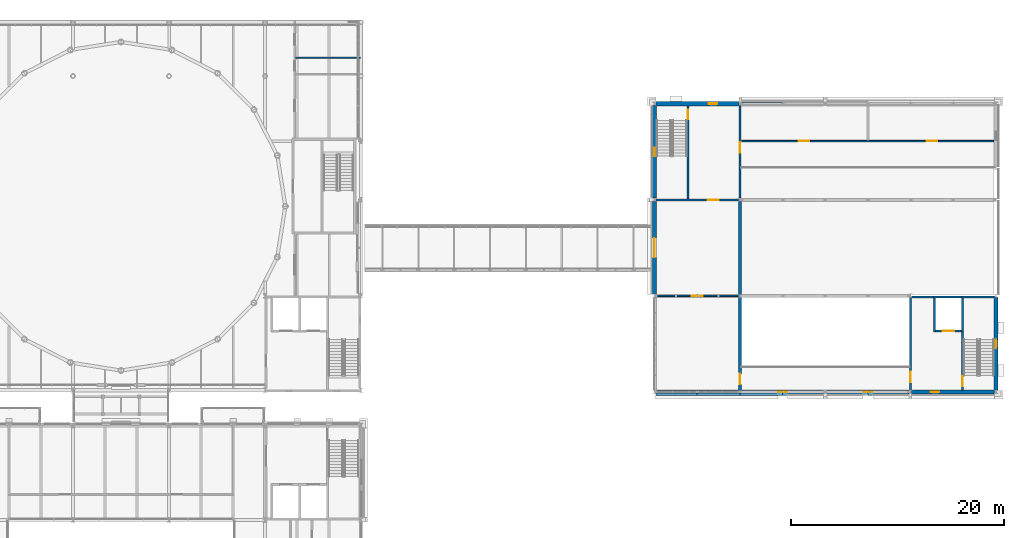
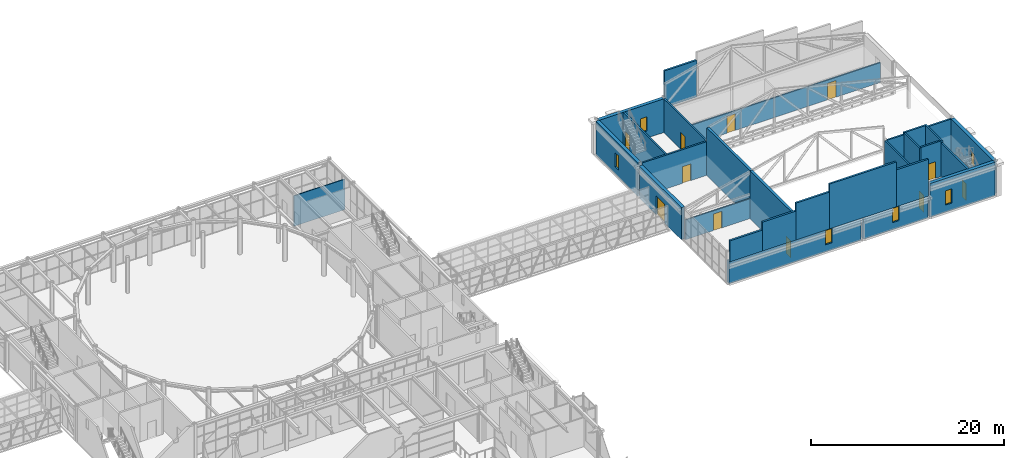
# One storey, part 99 of 149: 29 walls, 11 doors, 6 windows, 17 openings.
"""IFC4 building model written with IfcOpenShell, lengths in metres."""

from ifc_helpers import new_model, si_unit, direction, frame, frame_2d, origin, place, context, subcontext, project, spatial, rectangle, extrude, material, layer, layer_set, type_object, element, fill, save


model = new_model("IFC4")

# Units and contexts
model_context = context("Model", 3, precision=1e-05, world=origin(), true_north=direction((0.0, 1.0)))
body_context = subcontext(model_context, "Body", "Model", "MODEL_VIEW")
ifc_project = project(units=[si_unit("LENGTHUNIT", "METRE"), si_unit("AREAUNIT", "SQUARE_METRE"), si_unit("VOLUMEUNIT", "CUBIC_METRE"), si_unit("PLANEANGLEUNIT", "RADIAN"), si_unit("MASSUNIT", "GRAM", prefix="KILO")], contexts=[model_context])

# Site, building, storey
site_placement = place(None, origin())
site = spatial("IfcSite", under=ifc_project, at=site_placement, CompositionType="ELEMENT")
building_placement = place(site_placement, origin())
building = spatial("IfcBuilding", under=site, at=building_placement, Name="Kallimachos Central Library", CompositionType="ELEMENT")
storey_placement = place(building_placement, frame((0.0, 0.0, 9.89990234375)))
storey = spatial("IfcBuildingStorey", under=building, at=storey_placement, Name="L02", CompositionType="ELEMENT", Elevation=9.89990234375)

# Walls
ifc_material_1 = material(Name="Glazed ceramic tile")
ifc_layer_1 = layer(ifc_material_1, 0.22509765625)
ifc_layer_set_1 = layer_set([ifc_layer_1], Name="Ceramic gable cladding 225")
wall_type_1 = type_object("IfcWallType", Name="Ceramic gable cladding 225", PredefinedType="SOLIDWALL", material=ifc_layer_set_1)
wall_1_placement = place(storey_placement, frame((138.14990234375, 86.78759765625, 2.85009765625), z_axis=(0.0, 0.0, 1.0), x_axis=(1.0, 0.0, 0.0)))
element("IfcWall", 1, at=wall_1_placement, inside=storey, type_object=wall_type_1, Name="Gable cladding", PredefinedType="SOLIDWALL", context=body_context, shape_type="SweptSolid", body=[
    extrude(rectangle(XDim=3.85009765625, YDim=0.22509765625, at=frame_2d((1.925048828125, 0.0))), origin(), (0.0, 0.0, 1.0), 2.64990234375),
])
wall_2_placement = place(storey_placement, frame((142.0, 86.78759765625, 2.85009765625), z_axis=(0.0, 0.0, 1.0), x_axis=(1.0, 0.0, 0.0)))
element("IfcWall", 2, at=wall_2_placement, inside=storey, type_object=wall_type_1, Name="Gable cladding", PredefinedType="SOLIDWALL", context=body_context, shape_type="SweptSolid", body=[
    extrude(rectangle(XDim=4.0, YDim=0.22509765625, at=frame_2d((2.0, 0.0))), origin(), (0.0, 0.0, 1.0), 3.64990234375),
])
wall_3_placement = place(storey_placement, frame((146.0, 86.78759765625, 2.85009765625), z_axis=(0.0, 0.0, 1.0), x_axis=(1.0, 0.0, 0.0)))
element("IfcWall", 3, at=wall_3_placement, inside=storey, type_object=wall_type_1, Name="Gable cladding", PredefinedType="SOLIDWALL", context=body_context, shape_type="SweptSolid", body=[
    extrude(rectangle(XDim=4.0, YDim=0.22509765625, at=frame_2d((2.0, 0.0))), origin(), (0.0, 0.0, 1.0), 4.64990234375),
])
wall_4_placement = place(storey_placement, frame((150.0, 86.78759765625, 2.85009765625), z_axis=(0.0, 0.0, 1.0), x_axis=(1.0, 0.0, 0.0)))
element("IfcWall", 4, at=wall_4_placement, inside=storey, type_object=wall_type_1, Name="Gable cladding", PredefinedType="SOLIDWALL", context=body_context, shape_type="SweptSolid", body=[
    extrude(rectangle(XDim=8.0, YDim=0.22509765625, at=frame_2d((4.0, 0.0))), origin(), (0.0, 0.0, 1.0), 5.64990234375),
])
for number, where, z_axis, x_axis, name in (
    (5, (158.0, 86.78759765625, 2.85009765625), (0.0, 0.0, 1.0), (1.0, 0.0, 0.0), "Gable cladding"),
    (6, (146.14990234375, 114.21240234375, 2.85009765625), (0.0, 0.0, 1.0), (1.0, 0.0, 0.0), "Gable cladding"),
):
    element("IfcWall", number, at=place(storey_placement, frame(where, z_axis=z_axis, x_axis=x_axis)), inside=storey, type_object=wall_type_1, Name=name, PredefinedType="SOLIDWALL", context=body_context, shape_type="SweptSolid", body=[
        extrude(rectangle(XDim=3.85009765625, YDim=0.22509765625, at=frame_2d((1.925048828125, 0.0))), origin(), (0.0, 0.0, 1.0), 4.64990234375),
    ])

# Wall, opening, door
ifc_material_2 = material(Name="Concrete C30/37", Category="concrete")
ifc_layer_2 = layer(ifc_material_2, 0.199951171875)
ifc_layer_set_2 = layer_set([ifc_layer_2], Name="Core wall 200")
wall_type_2 = type_object("IfcWallType", Name="Core wall 200", PredefinedType="SOLIDWALL", material=ifc_layer_set_2)
wall_5_placement = place(storey_placement, frame((146.0, 105.14990234375, 0.0), z_axis=(0.0, 0.0, 1.0), x_axis=(0.0, 1.0, 0.0)))
wall_5 = element("IfcWall", 7, at=wall_5_placement, inside=storey, type_object=wall_type_2, Name="V3-WAL-L02-023", PredefinedType="SOLIDWALL", context=body_context, shape_type="SweptSolid", body=[
    extrude(rectangle(XDim=8.7001953125, YDim=0.199951171875, at=frame_2d((4.35009765625, 0.0))), origin(), (0.0, 0.0, 1.0), 4.25),
])
opening_1_placement = place(wall_5_placement, frame((4.25, 0.0, 0.0)))
opening_1 = element("IfcOpeningElement", 8, at=opening_1_placement, cuts=wall_5, Name="Opening D336", PredefinedType="OPENING", context=body_context, shape_type="SweptSolid", body=[
    extrude(rectangle(XDim=1.0, YDim=2.10009765625, at=frame_2d((0.5, 1.050048828125))), frame((0.0, 0.10986328125, 0.0), z_axis=(0.0, -1.0, 0.0), x_axis=(1.0, 0.0, 0.0)), (0.0, 0.0, 1.0), 0.219970703125),
])
ifc_material_3 = material(Name="Oak timber", Category="wood")
door_type_1 = type_object("IfcDoorType", Name="Single door 1000 x 2100", OperationType="NOTDEFINED", PredefinedType="DOOR", material=ifc_material_3)
door_1_placement = place(opening_1_placement, origin())
door_1 = element("IfcDoor", 9, at=door_1_placement, inside=storey, type_object=door_type_1, Name="Deck corridor door L02", OperationType="SINGLE_SWING_RIGHT", OverallHeight=2.10009765625, OverallWidth=1.0, PredefinedType="DOOR", context=body_context, shape_type="SweptSolid", body=[
    extrude(rectangle(XDim=1.0, YDim=2.10009765625, at=frame_2d((0.5, 1.050048828125))), frame((0.0, 0.02490234375, 0.0), z_axis=(0.0, -1.0, 0.0), x_axis=(1.0, 0.0, 0.0)), (0.0, 0.0, 1.0), 0.050048828125),
])
fill(opening_1, door_1)

wall_6_placement = place(storey_placement, frame((162.0, 87.14990234375, 0.0), z_axis=(0.0, 0.0, 1.0), x_axis=(0.0, 1.0, 0.0)))
wall_6 = element("IfcWall", 10, at=wall_6_placement, inside=storey, type_object=wall_type_2, Name="V3-WAL-L02-024", PredefinedType="SOLIDWALL", context=body_context, shape_type="SweptSolid", body=[
    extrude(rectangle(XDim=8.7001953125, YDim=0.199951171875, at=frame_2d((4.35009765625, 0.0))), origin(), (0.0, 0.0, 1.0), 4.25),
])
opening_2_placement = place(wall_6_placement, frame((0.75, 0.0, 0.0)))
opening_2 = element("IfcOpeningElement", 11, at=opening_2_placement, cuts=wall_6, Name="Opening D329", PredefinedType="OPENING", context=body_context, shape_type="SweptSolid", body=[
    extrude(rectangle(XDim=1.0, YDim=2.10009765625, at=frame_2d((0.5, 1.050048828125))), frame((0.0, 0.10986328125, 0.0), z_axis=(0.0, -1.0, 0.0), x_axis=(1.0, 0.0, 0.0)), (0.0, 0.0, 1.0), 0.219970703125),
])
door_2_placement = place(opening_2_placement, frame((1.0, 0.0, 0.0), z_axis=(0.0, 0.0, 1.0), x_axis=(-1.0, 0.0, 0.0)))
door_2 = element("IfcDoor", 12, at=door_2_placement, inside=storey, type_object=door_type_1, Name="Stage side door L02", OperationType="SINGLE_SWING_LEFT", OverallHeight=2.10009765625, OverallWidth=1.0, PredefinedType="DOOR", context=body_context, shape_type="SweptSolid", body=[
    extrude(rectangle(XDim=1.0, YDim=2.10009765625, at=frame_2d((0.5, 1.050048828125))), frame((0.0, 0.02490234375, 0.0), z_axis=(0.0, -1.0, 0.0), x_axis=(1.0, 0.0, 0.0)), (0.0, 0.0, 1.0), 0.050048828125),
])
fill(opening_2, door_2)

wall_7_placement = place(storey_placement, frame((138.14990234375, 105.0, 0.0), z_axis=(0.0, 0.0, 1.0), x_axis=(1.0, 0.0, 0.0)))
wall_7 = element("IfcWall", 13, at=wall_7_placement, inside=storey, type_object=wall_type_2, Name="V3-WAL-L02-025", PredefinedType="SOLIDWALL", context=body_context, shape_type="SweptSolid", body=[
    extrude(rectangle(XDim=7.7001953125, YDim=0.199951171875, at=frame_2d((3.85009765625, 0.0))), origin(), (0.0, 0.0, 1.0), 4.25),
])
opening_3_placement = place(wall_7_placement, frame((4.85009765625, 0.0, 0.0)))
opening_3 = element("IfcOpeningElement", 14, at=opening_3_placement, cuts=wall_7, Name="Opening D331", PredefinedType="OPENING", context=body_context, shape_type="SweptSolid", body=[
    extrude(rectangle(XDim=1.0, YDim=2.10009765625, at=frame_2d((0.5, 1.050048828125))), frame((0.0, 0.10986328125, 0.0), z_axis=(0.0, -1.0, 0.0), x_axis=(1.0, 0.0, 0.0)), (0.0, 0.0, 1.0), 0.219970703125),
])
door_3_placement = place(opening_3_placement, origin())
door_3 = element("IfcDoor", 15, at=door_3_placement, inside=storey, type_object=door_type_1, Name="Stair lobby ST8 door L02", OperationType="SINGLE_SWING_RIGHT", OverallHeight=2.10009765625, OverallWidth=1.0, PredefinedType="DOOR", context=body_context, shape_type="SweptSolid", body=[
    extrude(rectangle(XDim=1.0, YDim=2.10009765625, at=frame_2d((0.5, 1.050048828125))), frame((0.0, 0.02490234375, 0.0), z_axis=(0.0, -1.0, 0.0), x_axis=(1.0, 0.0, 0.0)), (0.0, 0.0, 1.0), 0.050048828125),
])
fill(opening_3, door_3)

# Walls
wall_8_placement = place(storey_placement, frame((162.14990234375, 95.89990234375, 0.0), z_axis=(0.0, 0.0, 1.0), x_axis=(1.0, 0.0, 0.0)))
element("IfcWall", 16, at=wall_8_placement, inside=storey, type_object=wall_type_2, Name="V3-WAL-L02-026", PredefinedType="SOLIDWALL", context=body_context, shape_type="SweptSolid", body=[
    extrude(rectangle(XDim=2.0, YDim=0.199951171875, at=frame_2d((1.0, 0.0))), origin(), (0.0, 0.0, 1.0), 4.25),
])
wall_9_placement = place(storey_placement, frame((166.75, 95.89990234375, 0.0), z_axis=(0.0, 0.0, 1.0), x_axis=(1.0, 0.0, 0.0)))
element("IfcWall", 17, at=wall_9_placement, inside=storey, type_object=wall_type_2, Name="V3-WAL-L02-027", PredefinedType="SOLIDWALL", context=body_context, shape_type="SweptSolid", body=[
    extrude(rectangle(XDim=3.10009765625, YDim=0.199951171875, at=frame_2d((1.550048828125, 0.0))), origin(), (0.0, 0.0, 1.0), 4.25),
])

# Wall, opening, door
wall_10_placement = place(storey_placement, frame((166.85009765625, 87.14990234375, 0.0), z_axis=(0.0, 0.0, 1.0), x_axis=(0.0, 1.0, 0.0)))
wall_10 = element("IfcWall", 18, at=wall_10_placement, inside=storey, type_object=wall_type_2, Name="V3-WAL-L02-028", PredefinedType="SOLIDWALL", context=body_context, shape_type="SweptSolid", body=[
    extrude(rectangle(XDim=5.4501953125, YDim=0.199951171875, at=frame_2d((2.72509765625, 0.0))), origin(), (0.0, 0.0, 1.0), 4.25),
])
opening_4_placement = place(wall_10_placement, frame((0.39990234375, 0.0, 0.0)))
opening_4 = element("IfcOpeningElement", 19, at=opening_4_placement, cuts=wall_10, Name="Opening D330", PredefinedType="OPENING", context=body_context, shape_type="SweptSolid", body=[
    extrude(rectangle(XDim=0.89990234375, YDim=2.10009765625, at=frame_2d((0.449951171875, 1.050048828125))), frame((0.0, 0.10986328125, 0.0), z_axis=(0.0, -1.0, 0.0), x_axis=(1.0, 0.0, 0.0)), (0.0, 0.0, 1.0), 0.219970703125),
])
ifc_material_4 = material(Name="Steel", Category="steel")
door_type_2 = type_object("IfcDoorType", Name="Single door 900 x 2100", OperationType="NOTDEFINED", PredefinedType="DOOR", material=ifc_material_4)
door_4_placement = place(opening_4_placement, frame((0.89990234375, 0.0, 0.0), z_axis=(0.0, 0.0, 1.0), x_axis=(-1.0, 0.0, 0.0)))
door_4 = element("IfcDoor", 20, at=door_4_placement, inside=storey, type_object=door_type_2, Name="Stair ST7 door L02", OperationType="SINGLE_SWING_LEFT", OverallHeight=2.10009765625, OverallWidth=0.89990234375, PredefinedType="DOOR", context=body_context, shape_type="SweptSolid", body=[
    extrude(rectangle(XDim=0.89990234375, YDim=2.10009765625, at=frame_2d((0.449951171875, 1.050048828125))), frame((0.0, 0.02490234375, 0.0), z_axis=(0.0, -1.0, 0.0), x_axis=(1.0, 0.0, 0.0)), (0.0, 0.0, 1.0), 0.050048828125),
])
fill(opening_4, door_4)

wall_11_placement = place(storey_placement, frame((141.14990234375, 105.10009765625, 0.0), z_axis=(0.0, 0.0, 1.0), x_axis=(0.0, 1.0, 0.0)))
wall_11 = element("IfcWall", 21, at=wall_11_placement, inside=storey, type_object=wall_type_2, Name="V3-WAL-L02-029", PredefinedType="SOLIDWALL", context=body_context, shape_type="SweptSolid", body=[
    extrude(rectangle(XDim=8.699951171875, YDim=0.199951171875, at=frame_2d((4.35009765625, 0.0))), origin(), (0.0, 0.0, 1.0), 4.25),
])
opening_5_placement = place(wall_11_placement, frame((7.449951171875, 0.0, 0.0)))
opening_5 = element("IfcOpeningElement", 22, at=opening_5_placement, cuts=wall_11, Name="Opening D332", PredefinedType="OPENING", context=body_context, shape_type="SweptSolid", body=[
    extrude(rectangle(XDim=0.89990234375, YDim=2.10009765625, at=frame_2d((0.449951171875, 1.050048828125))), frame((0.0, 0.10986328125, 0.0), z_axis=(0.0, -1.0, 0.0), x_axis=(1.0, 0.0, 0.0)), (0.0, 0.0, 1.0), 0.219970703125),
])
door_5_placement = place(opening_5_placement, origin())
door_5 = element("IfcDoor", 23, at=door_5_placement, inside=storey, type_object=door_type_2, Name="Stair ST8 door L02", OperationType="SINGLE_SWING_LEFT", OverallHeight=2.10009765625, OverallWidth=0.89990234375, PredefinedType="DOOR", context=body_context, shape_type="SweptSolid", body=[
    extrude(rectangle(XDim=0.89990234375, YDim=2.10009765625, at=frame_2d((0.449951171875, 1.050048828125))), frame((0.0, 0.02490234375, 0.0), z_axis=(0.0, -1.0, 0.0), x_axis=(1.0, 0.0, 0.0)), (0.0, 0.0, 1.0), 0.050048828125),
])
fill(opening_5, door_5)

ifc_material_5 = material(Name="Concrete C30/37", Category="concrete")
ifc_layer_3 = layer(ifc_material_5, 0.300048828125)
ifc_layer_set_3 = layer_set([ifc_layer_3], Name="Hall wall 300, load-bearing")
wall_type_3 = type_object("IfcWallType", Name="Hall wall 300, load-bearing", PredefinedType="SOLIDWALL", material=ifc_layer_set_3)
wall_12_placement = place(storey_placement, frame((146.0, 87.0, 0.0), z_axis=(0.0, 0.0, 1.0), x_axis=(0.0, 1.0, 0.0)))
wall_12 = element("IfcWall", 24, at=wall_12_placement, inside=storey, type_object=wall_type_3, Name="V3-WAL-L02-021", PredefinedType="SOLIDWALL", context=body_context, shape_type="SweptSolid", body=[
    extrude(rectangle(XDim=8.89990234375, YDim=0.300048828125, at=frame_2d((4.449951171875, 0.0))), origin(), (0.0, 0.0, 1.0), 6.050048828125),
])
opening_6_placement = place(wall_12_placement, frame((0.699951171875, 0.0, 0.0)))
opening_6 = element("IfcOpeningElement", 25, at=opening_6_placement, cuts=wall_12, Name="Opening D339", PredefinedType="OPENING", context=body_context, shape_type="SweptSolid", body=[
    extrude(rectangle(XDim=1.0, YDim=2.10009765625, at=frame_2d((0.5, 1.050048828125))), frame((0.0, 0.159912109375, 0.0), z_axis=(0.0, -1.0, 0.0), x_axis=(1.0, 0.0, 0.0)), (0.0, 0.0, 1.0), 0.320068359375),
])
door_6_placement = place(opening_6_placement, frame((1.0, 0.0, 0.0), z_axis=(0.0, 0.0, 1.0), x_axis=(-1.0, 0.0, 0.0)))
door_6 = element("IfcDoor", 26, at=door_6_placement, inside=storey, type_object=door_type_1, Name="Backstage door L02", OperationType="SINGLE_SWING_LEFT", OverallHeight=2.10009765625, OverallWidth=1.0, PredefinedType="DOOR", context=body_context, shape_type="SweptSolid", body=[
    extrude(rectangle(XDim=1.0, YDim=2.10009765625, at=frame_2d((0.5, 1.050048828125))), frame((0.0, 0.02490234375, 0.0), z_axis=(0.0, -1.0, 0.0), x_axis=(1.0, 0.0, 0.0)), (0.0, 0.0, 1.0), 0.050048828125),
])
fill(opening_6, door_6)

# Walls
wall_13_placement = place(storey_placement, frame((146.0, 95.89990234375, 0.0), z_axis=(0.0, 0.0, 1.0), x_axis=(0.0, 1.0, 0.0)))
element("IfcWall", 27, at=wall_13_placement, inside=storey, type_object=wall_type_3, Name="V3-WAL-L02-022", PredefinedType="SOLIDWALL", context=body_context, shape_type="SweptSolid", body=[
    extrude(rectangle(XDim=8.9501953125, YDim=0.300048828125, at=frame_2d((4.47509765625, 0.0))), origin(), (0.0, 0.0, 1.0), 6.050048828125),
])
ifc_material_6 = material(Name="Concrete C30/37", Category="concrete")
ifc_layer_4 = layer(ifc_material_6, 0.199951171875)
ifc_layer_set_4 = layer_set([ifc_layer_4], Name="Lift shaft wall 200")
wall_type_4 = type_object("IfcWallType", Name="Lift shaft wall 200", PredefinedType="SOLIDWALL", material=ifc_layer_set_4)
wall_14_placement = place(storey_placement, frame((164.14990234375, 95.89990234375, 0.0), z_axis=(0.0, 0.0, 1.0), x_axis=(1.0, 0.0, 0.0)))
element("IfcWall", 28, at=wall_14_placement, inside=storey, type_object=wall_type_4, Name="V3-WAL-L02-030", PredefinedType="SOLIDWALL", context=body_context, shape_type="SweptSolid", body=[
    extrude(rectangle(XDim=2.60009765625, YDim=0.199951171875, at=frame_2d((1.300048828125, 0.0))), origin(), (0.0, 0.0, 1.0), 4.5),
])

# Wall, opening, door
wall_15_placement = place(storey_placement, frame((164.35009765625, 92.699951171875, 0.0), z_axis=(0.0, 0.0, 1.0), x_axis=(1.0, 0.0, 0.0)))
wall_15 = element("IfcWall", 29, at=wall_15_placement, inside=storey, type_object=wall_type_4, Name="V3-WAL-L02-031", PredefinedType="SOLIDWALL", context=body_context, shape_type="SweptSolid", body=[
    extrude(rectangle(XDim=2.39990234375, YDim=0.199951171875, at=frame_2d((1.199951171875, 0.0))), origin(), (0.0, 0.0, 1.0), 4.5),
])
opening_7_placement = place(wall_15_placement, frame((0.64990234375, 0.0, 0.0)))
opening_7 = element("IfcOpeningElement", 30, at=opening_7_placement, cuts=wall_15, Name="Opening LD1100", PredefinedType="OPENING", context=body_context, shape_type="SweptSolid", body=[
    extrude(rectangle(XDim=1.10009765625, YDim=2.10009765625, at=frame_2d((0.550048828125, 1.050048828125))), frame((0.0, 0.10986328125, 0.0), z_axis=(0.0, -1.0, 0.0), x_axis=(1.0, 0.0, 0.0)), (0.0, 0.0, 1.0), 0.219970703125),
])
ifc_material_7 = material(Name="Stainless steel", Category="steel")
door_type_3 = type_object("IfcDoorType", Name="Lift landing door 1100 x 2100", OperationType="SLIDING_TO_LEFT", PredefinedType="DOOR", material=ifc_material_7)
door_7_placement = place(opening_7_placement, origin())
door_7 = element("IfcDoor", 31, at=door_7_placement, inside=storey, type_object=door_type_3, Name="LF6 landing door L02", OperationType="SLIDING_TO_LEFT", OverallHeight=2.10009765625, OverallWidth=1.10009765625, PredefinedType="DOOR", context=body_context, shape_type="SweptSolid", body=[
    extrude(rectangle(XDim=1.10009765625, YDim=2.10009765625, at=frame_2d((0.550048828125, 1.050048828125))), frame((0.0, 0.02490234375, 0.0), z_axis=(0.0, -1.0, 0.0), x_axis=(1.0, 0.0, 0.0)), (0.0, 0.0, 1.0), 0.050048828125),
])
fill(opening_7, door_7)

# Walls
for number, where, z_axis, x_axis, name in (
    (32, (164.25, 92.60009765625, 0.0), (0.0, 0.0, 1.0), (0.0, 1.0, 0.0), "V3-WAL-L02-032"),
    (33, (166.85009765625, 92.60009765625, 0.0), (0.0, 0.0, 1.0), (0.0, 1.0, 0.0), "V3-WAL-L02-033"),
):
    element("IfcWall", number, at=place(storey_placement, frame(where, z_axis=z_axis, x_axis=x_axis)), inside=storey, type_object=wall_type_4, Name=name, PredefinedType="SOLIDWALL", context=body_context, shape_type="SweptSolid", body=[
        extrude(rectangle(XDim=3.39990234375, YDim=0.199951171875, at=frame_2d((1.699951171875, 0.0))), origin(), (0.0, 0.0, 1.0), 4.5),
    ])
ifc_material_8 = material(Name="Plasterboard on steel studs", Category="steel")
ifc_layer_5 = layer(ifc_material_8, 0.10009765625)
ifc_layer_set_5 = layer_set([ifc_layer_5], Name="Partition 100")
wall_type_5 = type_object("IfcWallType", Name="Partition 100", PredefinedType="PARTITIONING", material=ifc_layer_set_5)
wall_16_placement = place(storey_placement, frame((104.330078125, 118.313720703125, 0.0), z_axis=(0.0, 0.0, 1.0), x_axis=(1.0, 0.0, 0.0)))
element("IfcWall", 34, at=wall_16_placement, inside=storey, type_object=wall_type_5, Name="Partition", PredefinedType="PARTITIONING", context=body_context, shape_type="SweptSolid", body=[
    extrude(rectangle(XDim=6.08984375, YDim=0.10009765625, at=frame_2d((3.044921875, 0.0))), origin(), (0.0, 0.0, 1.0), 3.85009765625),
])

# Wall, opening, door
ifc_material_9 = material(Name="Gypsum board on steel studs", Category="steel")
ifc_layer_6 = layer(ifc_material_9, 0.14990234375)
ifc_layer_set_6 = layer_set([ifc_layer_6], Name="Partition wall 150")
wall_type_6 = type_object("IfcWallType", Name="Partition wall 150", PredefinedType="PARTITIONING", material=ifc_layer_set_6)
wall_17_placement = place(storey_placement, frame((138.199951171875, 96.0, 0.0), z_axis=(0.0, 0.0, 1.0), x_axis=(1.0, 0.0, 0.0)))
wall_17 = element("IfcWall", 35, at=wall_17_placement, inside=storey, type_object=wall_type_6, Name="V3-WAL-L02-034", PredefinedType="PARTITIONING", context=body_context, shape_type="SweptSolid", body=[
    extrude(rectangle(XDim=7.650146484375, YDim=0.14990234375, at=frame_2d((3.8251953125, 0.0))), origin(), (0.0, 0.0, 1.0), 2.5),
])
opening_8_placement = place(wall_17_placement, frame((3.300048828125, 0.0, 0.0)))
opening_8 = element("IfcOpeningElement", 36, at=opening_8_placement, cuts=wall_17, Name="Opening D340", PredefinedType="OPENING", context=body_context, shape_type="SweptSolid", body=[
    extrude(rectangle(XDim=1.0, YDim=2.10009765625, at=frame_2d((0.5, 1.050048828125))), frame((0.0, 0.0849609375, 0.0), z_axis=(0.0, -1.0, 0.0), x_axis=(1.0, 0.0, 0.0)), (0.0, 0.0, 1.0), 0.169921875),
])
ifc_material_10 = material(Name="Oak timber", Category="wood")
door_type_4 = type_object("IfcDoorType", Name="Single door 1000 x 2100, EI2 30", OperationType="NOTDEFINED", PredefinedType="DOOR", material=ifc_material_10)
door_8_placement = place(opening_8_placement, frame((1.0, 0.0, 0.0), z_axis=(0.0, 0.0, 1.0), x_axis=(-1.0, 0.0, 0.0)))
door_8 = element("IfcDoor", 37, at=door_8_placement, inside=storey, type_object=door_type_4, Name="Foyer door L02", OperationType="SINGLE_SWING_LEFT", OverallHeight=2.10009765625, OverallWidth=1.0, PredefinedType="DOOR", context=body_context, shape_type="SweptSolid", body=[
    extrude(rectangle(XDim=1.0, YDim=2.10009765625, at=frame_2d((0.5, 1.050048828125))), frame((0.0, 0.02490234375, 0.0), z_axis=(0.0, -1.0, 0.0), x_axis=(1.0, 0.0, 0.0)), (0.0, 0.0, 1.0), 0.050048828125),
])
fill(opening_8, door_8)

# Wall, openings, doors
wall_18_placement = place(storey_placement, frame((146.14990234375, 110.5, 0.0), z_axis=(0.0, 0.0, 1.0), x_axis=(1.0, 0.0, 0.0)))
wall_18 = element("IfcWall", 38, at=wall_18_placement, inside=storey, type_object=wall_type_6, Name="V3-WAL-L02-035", PredefinedType="PARTITIONING", context=body_context, shape_type="SweptSolid", body=[
    extrude(rectangle(XDim=23.650146484375, YDim=0.14990234375, at=frame_2d((11.8251953125, 0.0))), origin(), (0.0, 0.0, 1.0), 2.5),
])
opening_9_placement = place(wall_18_placement, frame((5.35009765625, 0.0, 0.0)))
opening_9 = element("IfcOpeningElement", 39, at=opening_9_placement, cuts=wall_18, Name="Opening D341", PredefinedType="OPENING", context=body_context, shape_type="SweptSolid", body=[
    extrude(rectangle(XDim=1.0, YDim=2.10009765625, at=frame_2d((0.5, 1.050048828125))), frame((0.0, 0.0849609375, 0.0), z_axis=(0.0, -1.0, 0.0), x_axis=(1.0, 0.0, 0.0)), (0.0, 0.0, 1.0), 0.169921875),
])
opening_10_placement = place(wall_18_placement, frame((17.35009765625, 0.0, 0.0)))
opening_10 = element("IfcOpeningElement", 40, at=opening_10_placement, cuts=wall_18, Name="Opening D342", PredefinedType="OPENING", context=body_context, shape_type="SweptSolid", body=[
    extrude(rectangle(XDim=1.0, YDim=2.10009765625, at=frame_2d((0.5, 1.050048828125))), frame((0.0, 0.0849609375, 0.0), z_axis=(0.0, -1.0, 0.0), x_axis=(1.0, 0.0, 0.0)), (0.0, 0.0, 1.0), 0.169921875),
])
door_9_placement = place(opening_9_placement, origin())
door_9 = element("IfcDoor", 41, at=door_9_placement, inside=storey, type_object=door_type_4, Name="Plant door L02", OperationType="SINGLE_SWING_RIGHT", OverallHeight=2.10009765625, OverallWidth=1.0, PredefinedType="DOOR", context=body_context, shape_type="SweptSolid", body=[
    extrude(rectangle(XDim=1.0, YDim=2.10009765625, at=frame_2d((0.5, 1.050048828125))), frame((0.0, 0.02490234375, 0.0), z_axis=(0.0, -1.0, 0.0), x_axis=(1.0, 0.0, 0.0)), (0.0, 0.0, 1.0), 0.050048828125),
])
fill(opening_9, door_9)
door_10_placement = place(opening_10_placement, origin())
door_10 = element("IfcDoor", 42, at=door_10_placement, inside=storey, type_object=door_type_4, Name="Projection room door L02", OperationType="SINGLE_SWING_LEFT", OverallHeight=2.10009765625, OverallWidth=1.0, PredefinedType="DOOR", context=body_context, shape_type="SweptSolid", body=[
    extrude(rectangle(XDim=1.0, YDim=2.10009765625, at=frame_2d((0.5, 1.050048828125))), frame((0.0, 0.02490234375, 0.0), z_axis=(0.0, -1.0, 0.0), x_axis=(1.0, 0.0, 0.0)), (0.0, 0.0, 1.0), 0.050048828125),
])
fill(opening_10, door_10)

# Wall, opening, door
ifc_material_11 = material(Name="Concrete C30/37", Category="concrete")
ifc_layer_7 = layer(ifc_material_11, 0.39990234375)
ifc_layer_set_7 = layer_set([ifc_layer_7], Name="Stone-clad wall 400")
wall_type_7 = type_object("IfcWallType", Name="Stone-clad wall 400", PredefinedType="SOLIDWALL", material=ifc_layer_set_7)
wall_19_placement = place(storey_placement, frame((138.0, 96.14990234375, 0.0), z_axis=(0.0, 0.0, 1.0), x_axis=(0.0, 1.0, 0.0)))
wall_19 = element("IfcWall", 43, at=wall_19_placement, inside=storey, type_object=wall_type_7, Name="V3-WAL-L02-001", PredefinedType="SOLIDWALL", context=body_context, shape_type="SweptSolid", body=[
    extrude(rectangle(XDim=8.7001953125, YDim=0.39990234375, at=frame_2d((4.35009765625, 0.0))), origin(), (0.0, 0.0, 1.0), 4.050048828125),
])
opening_11_placement = place(wall_19_placement, frame((3.449951171875, 0.0, 0.0)))
opening_11 = element("IfcOpeningElement", 44, at=opening_11_placement, cuts=wall_19, Name="Opening DL7", PredefinedType="OPENING", context=body_context, shape_type="SweptSolid", body=[
    extrude(rectangle(XDim=1.800048828125, YDim=2.39990234375, at=frame_2d((0.89990234375, 1.199951171875))), frame((0.0, 0.2099609375, 0.0), z_axis=(0.0, -1.0, 0.0), x_axis=(1.0, 0.0, 0.0)), (0.0, 0.0, 1.0), 0.419921875),
])
ifc_material_12 = material(Name="Anodised aluminium and laminated glass", Category="aluminium")
door_type_5 = type_object("IfcDoorType", Name="Link door 1800 x 2400, EI2 90", OperationType="DOUBLE_DOOR_SINGLE_SWING", PredefinedType="DOOR", material=ifc_material_12)
door_11_placement = place(opening_11_placement, origin())
door_11 = element("IfcDoor", 45, at=door_11_placement, inside=storey, type_object=door_type_5, Name="Link door L02 bridge", OperationType="DOUBLE_DOOR_SINGLE_SWING", OverallHeight=2.39990234375, OverallWidth=1.800048828125, PredefinedType="DOOR", context=body_context, shape_type="SweptSolid", body=[
    extrude(rectangle(XDim=1.800048828125, YDim=2.39990234375, at=frame_2d((0.89990234375, 1.199951171875))), frame((0.0, 0.02490234375, 0.0), z_axis=(0.0, -1.0, 0.0), x_axis=(1.0, 0.0, 0.0)), (0.0, 0.0, 1.0), 0.050048828125),
])
fill(opening_11, door_11)

# Wall, opening, window
wall_20_placement = place(storey_placement, frame((138.0, 105.14990234375, 0.0), z_axis=(0.0, 0.0, 1.0), x_axis=(0.0, 1.0, 0.0)))
wall_20 = element("IfcWall", 46, at=wall_20_placement, inside=storey, type_object=wall_type_7, Name="V3-WAL-L02-002", PredefinedType="SOLIDWALL", context=body_context, shape_type="SweptSolid", body=[
    extrude(rectangle(XDim=8.7001953125, YDim=0.39990234375, at=frame_2d((4.35009765625, 0.0))), origin(), (0.0, 0.0, 1.0), 4.25),
])
opening_12_placement = place(wall_20_placement, frame((3.949951171875, 0.0, 0.89990234375)))
opening_12 = element("IfcOpeningElement", 47, at=opening_12_placement, cuts=wall_20, Name="Opening W80", PredefinedType="OPENING", context=body_context, shape_type="SweptSolid", body=[
    extrude(rectangle(XDim=0.800048828125, YDim=1.800048828125, at=frame_2d((0.39990234375, 0.89990234375))), frame((0.0, 0.2099609375, 0.0), z_axis=(0.0, -1.0, 0.0), x_axis=(1.0, 0.0, 0.0)), (0.0, 0.0, 1.0), 0.419921875),
])
ifc_material_13 = material(Name="Anodised aluminium and laminated glass", Category="aluminium")
window_type = type_object("IfcWindowType", Name="Slot window 800 x 1800", PartitioningType="SINGLE_PANEL", PredefinedType="WINDOW", material=ifc_material_13)
window_1_placement = place(opening_12_placement, origin())
window_1 = element("IfcWindow", 48, at=window_1_placement, inside=storey, type_object=window_type, Name="V3-WIN-L02-001", OverallHeight=1.800048828125, OverallWidth=0.800048828125, PartitioningType="SINGLE_PANEL", PredefinedType="WINDOW", context=body_context, shape_type="SweptSolid", body=[
    extrude(rectangle(XDim=0.800048828125, YDim=1.800048828125, at=frame_2d((0.39990234375, 0.89990234375))), frame((0.0, 0.030029296875, 0.0), z_axis=(0.0, -1.0, 0.0), x_axis=(1.0, 0.0, 0.0)), (0.0, 0.0, 1.0), 0.06005859375),
])
fill(opening_12, window_1)

wall_21_placement = place(storey_placement, frame((170.0, 87.14990234375, 0.0), z_axis=(0.0, 0.0, 1.0), x_axis=(0.0, 1.0, 0.0)))
wall_21 = element("IfcWall", 49, at=wall_21_placement, inside=storey, type_object=wall_type_7, Name="V3-WAL-L02-003", PredefinedType="SOLIDWALL", context=body_context, shape_type="SweptSolid", body=[
    extrude(rectangle(XDim=8.7001953125, YDim=0.39990234375, at=frame_2d((4.35009765625, 0.0))), origin(), (0.0, 0.0, 1.0), 4.25),
])
opening_13_placement = place(wall_21_placement, frame((3.949951171875, 0.0, 0.89990234375)))
opening_13 = element("IfcOpeningElement", 50, at=opening_13_placement, cuts=wall_21, Name="Opening W80", PredefinedType="OPENING", context=body_context, shape_type="SweptSolid", body=[
    extrude(rectangle(XDim=0.800048828125, YDim=1.800048828125, at=frame_2d((0.39990234375, 0.89990234375))), frame((0.0, 0.2099609375, 0.0), z_axis=(0.0, -1.0, 0.0), x_axis=(1.0, 0.0, 0.0)), (0.0, 0.0, 1.0), 0.419921875),
])
window_2_placement = place(opening_13_placement, origin())
window_2 = element("IfcWindow", 51, at=window_2_placement, inside=storey, type_object=window_type, Name="V3-WIN-L02-002", OverallHeight=1.800048828125, OverallWidth=0.800048828125, PartitioningType="SINGLE_PANEL", PredefinedType="WINDOW", context=body_context, shape_type="SweptSolid", body=[
    extrude(rectangle(XDim=0.800048828125, YDim=1.800048828125, at=frame_2d((0.39990234375, 0.89990234375))), frame((0.0, 0.030029296875, 0.0), z_axis=(0.0, -1.0, 0.0), x_axis=(1.0, 0.0, 0.0)), (0.0, 0.0, 1.0), 0.06005859375),
])
fill(opening_13, window_2)

wall_22_placement = place(storey_placement, frame((138.090087890625, 87.0, 0.0), z_axis=(0.0, 0.0, 1.0), x_axis=(1.0, 0.0, 0.0)))
wall_22 = element("IfcWall", 52, at=wall_22_placement, inside=storey, type_object=wall_type_7, Name="V3-WAL-L02-005", PredefinedType="SOLIDWALL", context=body_context, shape_type="SweptSolid", body=[
    extrude(rectangle(XDim=15.760009765625, YDim=0.39990234375, at=frame_2d((7.8798828125, 0.0))), origin(), (0.0, 0.0, 1.0), 2.85009765625),
])
opening_14_placement = place(wall_22_placement, frame((11.510009765625, 0.0, 0.89990234375)))
opening_14 = element("IfcOpeningElement", 53, at=opening_14_placement, cuts=wall_22, Name="Opening W80", PredefinedType="OPENING", context=body_context, shape_type="SweptSolid", body=[
    extrude(rectangle(XDim=0.800048828125, YDim=1.800048828125, at=frame_2d((0.39990234375, 0.89990234375))), frame((0.0, 0.2099609375, 0.0), z_axis=(0.0, -1.0, 0.0), x_axis=(1.0, 0.0, 0.0)), (0.0, 0.0, 1.0), 0.419921875),
])
window_3_placement = place(opening_14_placement, origin())
window_3 = element("IfcWindow", 54, at=window_3_placement, inside=storey, type_object=window_type, Name="V3-WIN-L02-003", OverallHeight=1.800048828125, OverallWidth=0.800048828125, PartitioningType="SINGLE_PANEL", PredefinedType="WINDOW", context=body_context, shape_type="SweptSolid", body=[
    extrude(rectangle(XDim=0.800048828125, YDim=1.800048828125, at=frame_2d((0.39990234375, 0.89990234375))), frame((0.0, 0.030029296875, 0.0), z_axis=(0.0, -1.0, 0.0), x_axis=(1.0, 0.0, 0.0)), (0.0, 0.0, 1.0), 0.06005859375),
])
fill(opening_14, window_3)

wall_23_placement = place(storey_placement, frame((154.14990234375, 87.0, 0.0), z_axis=(0.0, 0.0, 1.0), x_axis=(1.0, 0.0, 0.0)))
wall_23 = element("IfcWall", 55, at=wall_23_placement, inside=storey, type_object=wall_type_7, Name="V3-WAL-L02-006", PredefinedType="SOLIDWALL", context=body_context, shape_type="SweptSolid", body=[
    extrude(rectangle(XDim=7.7001953125, YDim=0.39990234375, at=frame_2d((3.85009765625, 0.0))), origin(), (0.0, 0.0, 1.0), 2.85009765625),
])
opening_15_placement = place(wall_23_placement, frame((3.449951171875, 0.0, 0.89990234375)))
opening_15 = element("IfcOpeningElement", 56, at=opening_15_placement, cuts=wall_23, Name="Opening W80", PredefinedType="OPENING", context=body_context, shape_type="SweptSolid", body=[
    extrude(rectangle(XDim=0.800048828125, YDim=1.800048828125, at=frame_2d((0.39990234375, 0.89990234375))), frame((0.0, 0.2099609375, 0.0), z_axis=(0.0, -1.0, 0.0), x_axis=(1.0, 0.0, 0.0)), (0.0, 0.0, 1.0), 0.419921875),
])
window_4_placement = place(opening_15_placement, origin())
window_4 = element("IfcWindow", 57, at=window_4_placement, inside=storey, type_object=window_type, Name="V3-WIN-L02-004", OverallHeight=1.800048828125, OverallWidth=0.800048828125, PartitioningType="SINGLE_PANEL", PredefinedType="WINDOW", context=body_context, shape_type="SweptSolid", body=[
    extrude(rectangle(XDim=0.800048828125, YDim=1.800048828125, at=frame_2d((0.39990234375, 0.89990234375))), frame((0.0, 0.030029296875, 0.0), z_axis=(0.0, -1.0, 0.0), x_axis=(1.0, 0.0, 0.0)), (0.0, 0.0, 1.0), 0.06005859375),
])
fill(opening_15, window_4)

wall_24_placement = place(storey_placement, frame((162.10009765625, 87.0, 0.0), z_axis=(0.0, 0.0, 1.0), x_axis=(1.0, 0.0, 0.0)))
wall_24 = element("IfcWall", 58, at=wall_24_placement, inside=storey, type_object=wall_type_7, Name="V3-WAL-L02-007", PredefinedType="SOLIDWALL", context=body_context, shape_type="SweptSolid", body=[
    extrude(rectangle(XDim=7.75, YDim=0.39990234375, at=frame_2d((3.875, 0.0))), origin(), (0.0, 0.0, 1.0), 4.25),
])
opening_16_placement = place(wall_24_placement, frame((1.800048828125, 0.0, 0.89990234375)))
opening_16 = element("IfcOpeningElement", 59, at=opening_16_placement, cuts=wall_24, Name="Opening W80", PredefinedType="OPENING", context=body_context, shape_type="SweptSolid", body=[
    extrude(rectangle(XDim=0.800048828125, YDim=1.800048828125, at=frame_2d((0.39990234375, 0.89990234375))), frame((0.0, 0.2099609375, 0.0), z_axis=(0.0, -1.0, 0.0), x_axis=(1.0, 0.0, 0.0)), (0.0, 0.0, 1.0), 0.419921875),
])
window_5_placement = place(opening_16_placement, origin())
window_5 = element("IfcWindow", 60, at=window_5_placement, inside=storey, type_object=window_type, Name="V3-WIN-L02-005", OverallHeight=1.800048828125, OverallWidth=0.800048828125, PartitioningType="SINGLE_PANEL", PredefinedType="WINDOW", context=body_context, shape_type="SweptSolid", body=[
    extrude(rectangle(XDim=0.800048828125, YDim=1.800048828125, at=frame_2d((0.39990234375, 0.89990234375))), frame((0.0, 0.030029296875, 0.0), z_axis=(0.0, -1.0, 0.0), x_axis=(1.0, 0.0, 0.0)), (0.0, 0.0, 1.0), 0.06005859375),
])
fill(opening_16, window_5)

wall_25_placement = place(storey_placement, frame((138.14990234375, 114.0, 0.0), z_axis=(0.0, 0.0, 1.0), x_axis=(1.0, 0.0, 0.0)))
wall_25 = element("IfcWall", 61, at=wall_25_placement, inside=storey, type_object=wall_type_7, Name="V3-WAL-L02-008", PredefinedType="SOLIDWALL", context=body_context, shape_type="SweptSolid", body=[
    extrude(rectangle(XDim=7.75, YDim=0.39990234375, at=frame_2d((3.875, 0.0))), origin(), (0.0, 0.0, 1.0), 4.25),
])
opening_17_placement = place(wall_25_placement, frame((4.949951171875, 0.0, 0.89990234375)))
opening_17 = element("IfcOpeningElement", 62, at=opening_17_placement, cuts=wall_25, Name="Opening W80", PredefinedType="OPENING", context=body_context, shape_type="SweptSolid", body=[
    extrude(rectangle(XDim=0.800048828125, YDim=1.800048828125, at=frame_2d((0.39990234375, 0.89990234375))), frame((0.0, 0.2099609375, 0.0), z_axis=(0.0, -1.0, 0.0), x_axis=(1.0, 0.0, 0.0)), (0.0, 0.0, 1.0), 0.419921875),
])
window_6_placement = place(opening_17_placement, origin())
window_6 = element("IfcWindow", 63, at=window_6_placement, inside=storey, type_object=window_type, Name="V3-WIN-L02-006", OverallHeight=1.800048828125, OverallWidth=0.800048828125, PartitioningType="SINGLE_PANEL", PredefinedType="WINDOW", context=body_context, shape_type="SweptSolid", body=[
    extrude(rectangle(XDim=0.800048828125, YDim=1.800048828125, at=frame_2d((0.39990234375, 0.89990234375))), frame((0.0, 0.030029296875, 0.0), z_axis=(0.0, -1.0, 0.0), x_axis=(1.0, 0.0, 0.0)), (0.0, 0.0, 1.0), 0.06005859375),
])
fill(opening_17, window_6)

save(model, "model.ifc")
